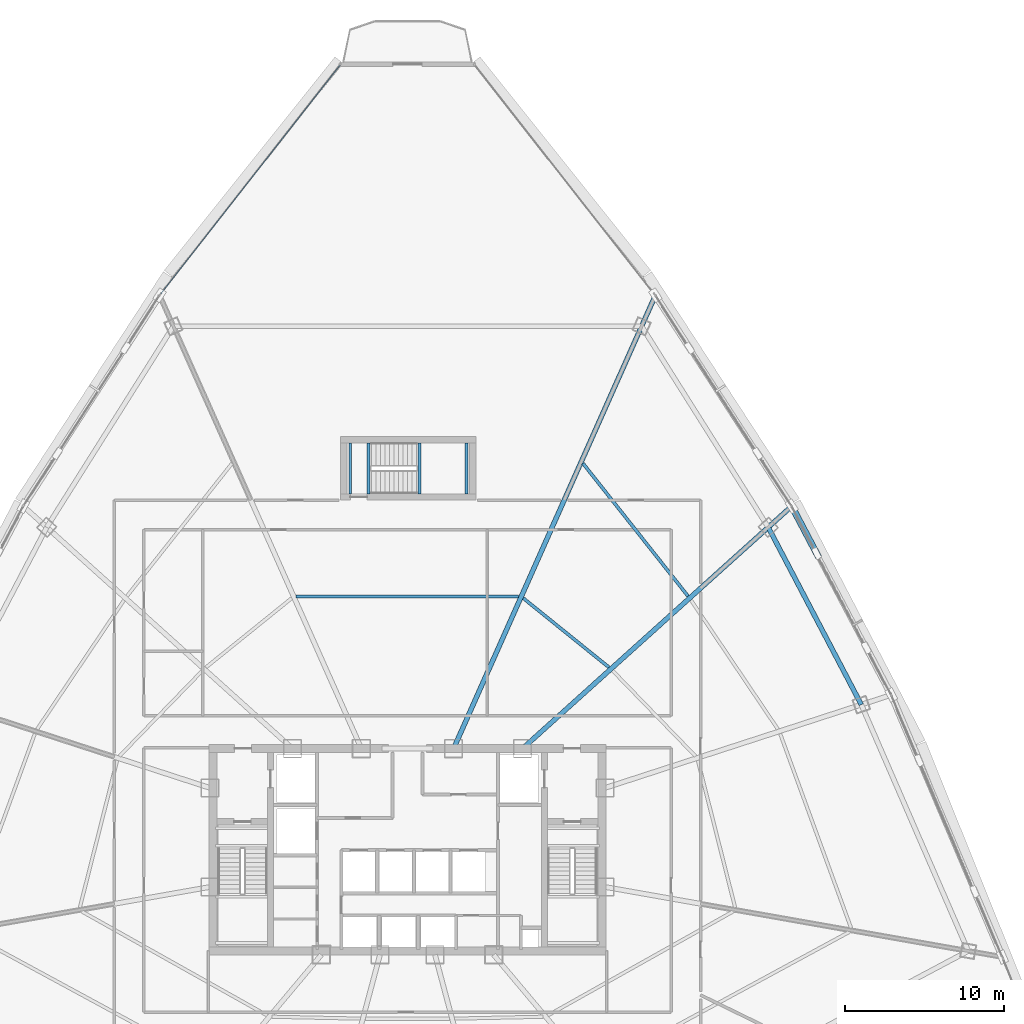
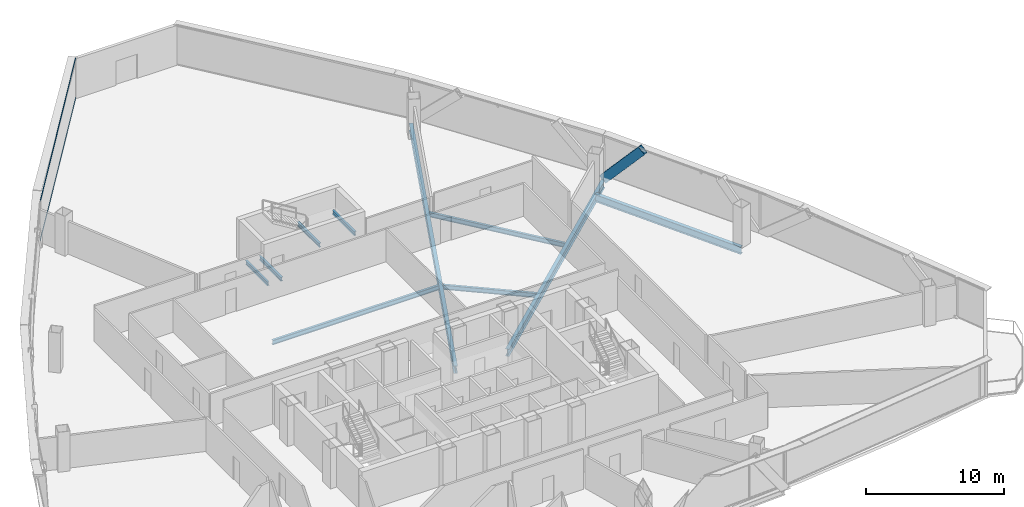
# One storey, part 19 of 37: 10 beams, 3 members, 1 element without a shape of its own.
"""IFC4 building model written with IfcOpenShell, lengths in metres."""

from ifc_helpers import new_model, si_unit, direction, frame, origin, origin_2d, place, context, subcontext, project, spatial, hollow_rectangle, i_section, extrude, source, transform, mapped, material, layer, layer_set, material_profile, profile_set, type_object, element, aggregate, save


model = new_model("IFC4")

# Units and contexts
model_context = context("Model", 3, precision=1e-05, world=origin(), true_north=direction((0.0, 1.0)))
body_context = subcontext(model_context, "Body", "Model", "MODEL_VIEW")
ifc_project = project(units=[si_unit("LENGTHUNIT", "METRE"), si_unit("AREAUNIT", "SQUARE_METRE"), si_unit("VOLUMEUNIT", "CUBIC_METRE"), si_unit("PLANEANGLEUNIT", "RADIAN"), si_unit("MASSUNIT", "GRAM", prefix="KILO"), si_unit("THERMODYNAMICTEMPERATUREUNIT", "KELVIN"), si_unit("POWERUNIT", "WATT")], contexts=[model_context])

# Site, building, storey
site_placement = place(None, origin())
site = spatial("IfcSite", under=ifc_project, at=site_placement, CompositionType="ELEMENT")
building_placement = place(site_placement, origin())
building = spatial("IfcBuilding", under=site, at=building_placement, Name="Yunzhuo Pagoda Commons", CompositionType="ELEMENT")
storey_placement = place(building_placement, frame((0.0, 0.0, 192.360107421875)))
storey = spatial("IfcBuildingStorey", under=building, at=storey_placement, Name="L48", CompositionType="ELEMENT", Elevation=192.360107421875)

# Beams
ifc_material_1 = material(Name="Structural steel Q355B", Category="steel")
ifc_material_profile_1 = material_profile(ifc_material_1, i_section(OverallWidth=0.175048828125, OverallDepth=0.35009765625, WebThickness=0.007080078125, FlangeThickness=0.010986328125, at=origin_2d()), Name="Structural steel Q355B")
ifc_profile_set_1 = profile_set([ifc_material_profile_1], Name="Structural steel Q355B")
beam_type_1 = type_object("IfcBeamType", Name="B-JS2 Joist HN 350x175x7x11", PredefinedType="JOIST", material=ifc_profile_set_1)
shared_shape_1 = source(origin(), body_context, "Body", "SweptSolid", [
    extrude(i_section(OverallWidth=0.175048828125, OverallDepth=0.35009765625, WebThickness=0.007080078125, FlangeThickness=0.010986328125, at=origin_2d()), origin(), (0.0, 0.0, 1.0), 3.199951171875),
])
for number, where, z_axis, x_axis, name in (
    (1, (48.75, 56.199951171875, 1.52490234375), (0.0, 1.0, 0.0), (-1.0, 0.0, 0.0), "L48 ST3 landing support beam 54A"),
    (2, (51.699951171875, 56.199951171875, 1.52490234375), (0.0, 1.0, 0.0), (-1.0, 0.0, 0.0), "L48 ST3 landing support beam 54B"),
    (3, (44.39990234375, 56.199951171875, -0.375), (0.0, 1.0, 0.0), (-1.0, 0.0, 0.0), "L48 ST3 landing support beam 122A"),
    (4, (45.550048828125, 56.199951171875, -0.375), (0.0, 1.0, 0.0), (-1.0, 0.0, 0.0), "L48 ST3 landing support beam 122B"),
):
    element("IfcBeam", number, at=place(storey_placement, frame(where, z_axis=z_axis, x_axis=x_axis)), inside=storey, type_object=beam_type_1, Name=name, PredefinedType="JOIST", context=body_context, shape_type="MappedRepresentation", body=[
        mapped(shared_shape_1, transform((0.0, 0.0, 0.0), scale=1.0)),
    ])
ifc_material_profile_2 = material_profile(ifc_material_1, i_section(OverallWidth=0.300048828125, OverallDepth=0.64990234375, WebThickness=0.012939453125, FlangeThickness=0.02197265625, at=origin_2d()), Name="Structural steel Q355B")
ifc_profile_set_2 = profile_set([ifc_material_profile_2], Name="Structural steel Q355B")
beam_type_2 = type_object("IfcBeamType", Name="B-RG2 Beam HN 650x300x13x22", PredefinedType="BEAM", material=ifc_profile_set_2)
shared_shape_2 = source(origin(), body_context, "Body", "SweptSolid", [
    extrude(i_section(OverallWidth=0.300048828125, OverallDepth=0.64990234375, WebThickness=0.012939453125, FlangeThickness=0.02197265625, at=origin_2d()), origin(), (0.0, 0.0, 1.0), 12.576416015625),
])
beam_1_placement = place(storey_placement, frame((76.49462890625, 42.95849609375, -0.585205078125), z_axis=(-0.464676385233, 0.885480579689, 0.0), x_axis=(-0.885480579689, -0.464676385233, 0.0)))
element("IfcBeam", 5, at=beam_1_placement, inside=storey, type_object=beam_type_2, Name="L48 column-ring beam 6", PredefinedType="BEAM", context=body_context, shape_type="MappedRepresentation", body=[
    mapped(shared_shape_2, transform((0.0, 0.0, 0.0), scale=1.0)),
])
ifc_material_profile_3 = material_profile(ifc_material_1, i_section(OverallWidth=0.199951171875, OverallDepth=0.39990234375, WebThickness=0.008056640625, FlangeThickness=0.012939453125, at=origin_2d()), Name="Structural steel Q355B")
ifc_profile_set_3 = profile_set([ifc_material_profile_3], Name="Structural steel Q355B")
beam_type_3 = type_object("IfcBeamType", Name="B-JS1 Joist HN 400x200x8x13", PredefinedType="JOIST", material=ifc_profile_set_3)
shared_shape_3 = source(origin(), body_context, "Body", "SweptSolid", [
    extrude(i_section(OverallWidth=0.199951171875, OverallDepth=0.39990234375, WebThickness=0.008056640625, FlangeThickness=0.012939453125, at=origin_2d()), origin(), (0.0, 0.0, 1.0), 6.916748046875),
])
beam_2_placement = place(storey_placement, frame((60.650634765625, 45.302001953125, -0.460205078125), z_axis=(-0.778265575865, 0.627935262127, 0.0), x_axis=(-0.627935262127, -0.778265575865, 0.0)))
element("IfcBeam", 6, at=beam_2_placement, inside=storey, type_object=beam_type_3, Name="L48 composite ring joist 1.7", PredefinedType="JOIST", context=body_context, shape_type="MappedRepresentation", body=[
    mapped(shared_shape_3, transform((0.0, 0.0, 0.0), scale=1.0)),
])
shared_shape_4 = source(origin(), body_context, "Body", "SweptSolid", [
    extrude(i_section(OverallWidth=0.199951171875, OverallDepth=0.39990234375, WebThickness=0.008056640625, FlangeThickness=0.012939453125, at=origin_2d()), origin(), (0.0, 0.0, 1.0), 10.62548828125),
])
beam_3_placement = place(storey_placement, frame((65.614013671875, 49.773193359375, -0.460205078125), z_axis=(-0.620561688531, 0.784157631301, 0.0), x_axis=(-0.784157631301, -0.620561688531, 0.0)))
element("IfcBeam", 7, at=beam_3_placement, inside=storey, type_object=beam_type_3, Name="L48 composite ring joist 2.7", PredefinedType="JOIST", context=body_context, shape_type="MappedRepresentation", body=[
    mapped(shared_shape_4, transform((0.0, 0.0, 0.0), scale=1.0)),
])
shared_shape_5 = source(origin(), body_context, "Body", "SweptSolid", [
    extrude(i_section(OverallWidth=0.199951171875, OverallDepth=0.39990234375, WebThickness=0.008056640625, FlangeThickness=0.012939453125, at=origin_2d()), origin(), (0.0, 0.0, 1.0), 13.9697265625),
])
beam_4_placement = place(storey_placement, frame((54.98486328125, 49.7451171875, -0.460205078125), z_axis=(-1.0, 0.0, 0.0), x_axis=(0.0, -1.0, 0.0)))
element("IfcBeam", 8, at=beam_4_placement, inside=storey, type_object=beam_type_3, Name="L48 composite ring joist 1.8", PredefinedType="JOIST", context=body_context, shape_type="MappedRepresentation", body=[
    mapped(shared_shape_5, transform((0.0, 0.0, 0.0), scale=1.0)),
])
shared_shape_6 = source(origin(), body_context, "Body", "SweptSolid", [
    extrude(i_section(OverallWidth=0.300048828125, OverallDepth=0.64990234375, WebThickness=0.012939453125, FlangeThickness=0.02197265625, at=origin_2d()), origin(), (0.0, 0.0, 1.0), 22.59326171875),
])
beam_5_placement = place(storey_placement, frame((72.009033203125, 55.31787109375, -0.585205078125), z_axis=(-0.743142605929, -0.669133071409, 0.0), x_axis=(0.669133071409, -0.743142605929, 0.0)))
element("IfcBeam", 9, at=beam_5_placement, inside=storey, type_object=beam_type_2, Name="L48 radial floor girder F2C3", PredefinedType="BEAM", context=body_context, shape_type="MappedRepresentation", body=[
    mapped(shared_shape_6, transform((0.0, 0.0, 0.0), scale=1.0)),
])
shared_shape_7 = source(origin(), body_context, "Body", "SweptSolid", [
    extrude(i_section(OverallWidth=0.300048828125, OverallDepth=0.64990234375, WebThickness=0.012939453125, FlangeThickness=0.02197265625, at=origin_2d()), origin(), (0.0, 0.0, 1.0), 30.999267578125),
])
beam_6_placement = place(storey_placement, frame((63.50244140625, 68.519287109375, -0.585205078125), z_axis=(-0.406731735964, -0.913547642414, 0.0), x_axis=(0.913547642414, -0.406731735964, 0.0)))
element("IfcBeam", 10, at=beam_6_placement, inside=storey, type_object=beam_type_2, Name="L48 radial floor girder F2C4", PredefinedType="BEAM", context=body_context, shape_type="MappedRepresentation", body=[
    mapped(shared_shape_7, transform((0.0, 0.0, 0.0), scale=1.0)),
])

# Member
ifc_material_profile_4 = material_profile(ifc_material_1, hollow_rectangle(XDim=0.39990234375, YDim=0.719970703125, WallThickness=0.02392578125, at=origin_2d()), Name="Structural steel Q355B")
ifc_profile_set_4 = profile_set([ifc_material_profile_4], Name="Structural steel Q355B")
member_type_1 = type_object("IfcMemberType", Name="M-DL2 Brace BOX 720x400x24", PredefinedType="BRACE", material=ifc_profile_set_4)
shared_shape_8 = source(origin(), body_context, "Body", "SweptSolid", [
    extrude(hollow_rectangle(XDim=0.39990234375, YDim=0.719970703125, WallThickness=0.02392578125, at=origin_2d()), origin(), (0.0, 0.0, 1.0), 5.065673828125),
])
member_1_placement = place(storey_placement, frame((72.124267578125, 55.421630859375, -0.260009765625), z_axis=(0.308541597422, -0.584937420791, 0.75010019092), x_axis=(0.884494196233, 0.466551194223, 0.0)))
element("IfcMember", 11, at=member_1_placement, inside=storey, type_object=member_type_1, Name="L48 facade diamond brace F2.2R", PredefinedType="BRACE", context=body_context, shape_type="MappedRepresentation", body=[
    mapped(shared_shape_8, transform((0.0, 0.0, 0.0), scale=1.0)),
])

# Curtain wall, members
ifc_material_2 = material(Name="Anodized aluminium 6063-T6", Category="aluminium")
ifc_layer = layer(ifc_material_2, 0.14990234375)
ifc_layer_set = layer_set([ifc_layer], Name="Anodized aluminium 6063-T6")
curtain_wall_type = type_object("IfcCurtainWallType", Name="CW-MID Mid-Zone Ribbon Curtain Wall", PredefinedType="NOTDEFINED", material=ifc_layer_set)
curtain_wall_placement = place(storey_placement, origin())
curtain_wall = element("IfcCurtainWall", 12, at=curtain_wall_placement, inside=storey, type_object=curtain_wall_type, Name="L48 curtain wall CW-L48-F3B1", PredefinedType="NOTDEFINED")
ifc_material_profile_5 = material_profile(ifc_material_2, hollow_rectangle(XDim=0.054931640625, YDim=0.1298828125, WallThickness=0.00341796875, at=origin_2d()), Name="Anodized aluminium 6063-T6")
ifc_profile_set_5 = profile_set([ifc_material_profile_5], Name="Anodized aluminium 6063-T6")
member_type_2 = type_object("IfcMemberType", Name="CW-MID-T Transom RHS 130x55x3.5", PredefinedType="USERDEFINED", material=ifc_profile_set_5)
shared_shape_9 = source(origin(), body_context, "Body", "SweptSolid", [
    extrude(hollow_rectangle(XDim=0.054931640625, YDim=0.1298828125, WallThickness=0.00341796875, at=origin_2d()), origin(), (0.0, 0.0, 1.0), 18.23681640625),
])
member_2_placement = place(storey_placement, frame((43.767822265625, 83.120361328125, 0.02734375), z_axis=(-0.616886369969, -0.78705222606, 0.0), x_axis=(0.78705222606, -0.616886369969, 0.0)))
member_2 = element("IfcMember", 13, at=member_2_placement, type_object=member_type_2, Name="CW transom 1.1", ObjectType="TRANSOM", PredefinedType="USERDEFINED", context=body_context, shape_type="MappedRepresentation", body=[
    mapped(shared_shape_9, transform((0.0, 0.0, 0.0), scale=1.0)),
])
member_3_placement = place(storey_placement, frame((43.767822265625, 83.120361328125, 3.512451171875), z_axis=(-0.616886369969, -0.78705222606, 0.0), x_axis=(0.78705222606, -0.616886369969, 0.0)))
member_3 = element("IfcMember", 14, at=member_3_placement, type_object=member_type_2, Name="CW transom 1.2", ObjectType="TRANSOM", PredefinedType="USERDEFINED", context=body_context, shape_type="MappedRepresentation", body=[
    mapped(shared_shape_9, transform((0.0, 0.0, 0.0), scale=1.0)),
])
aggregate(curtain_wall, [member_2, member_3])

save(model, "model.ifc")
